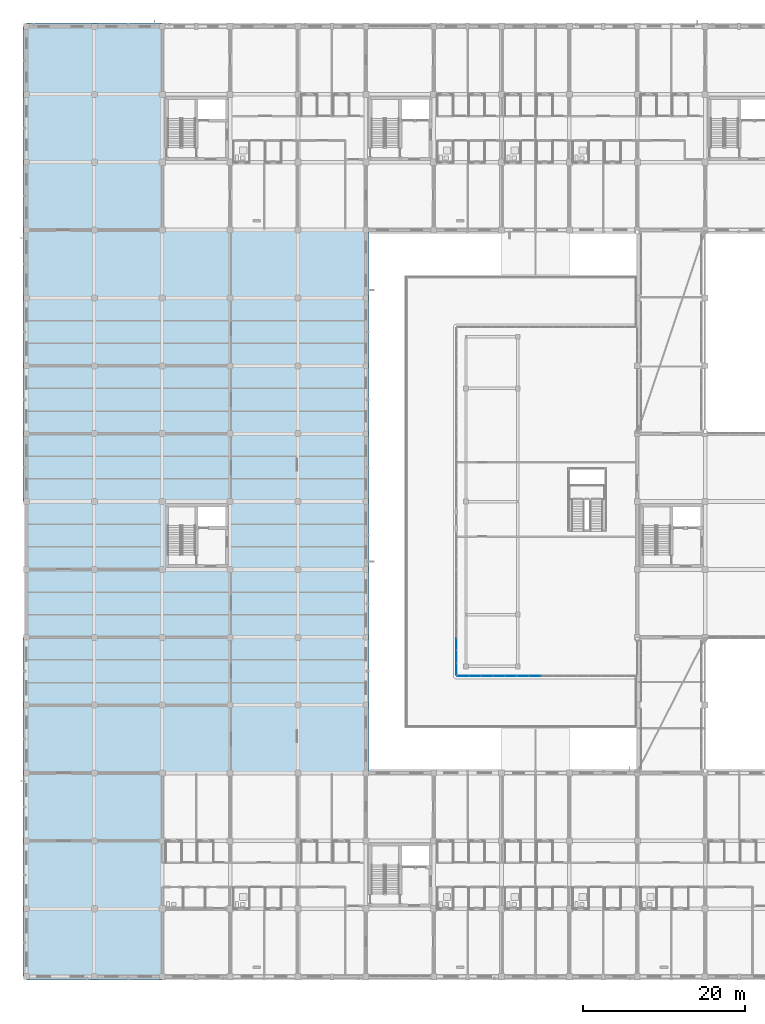
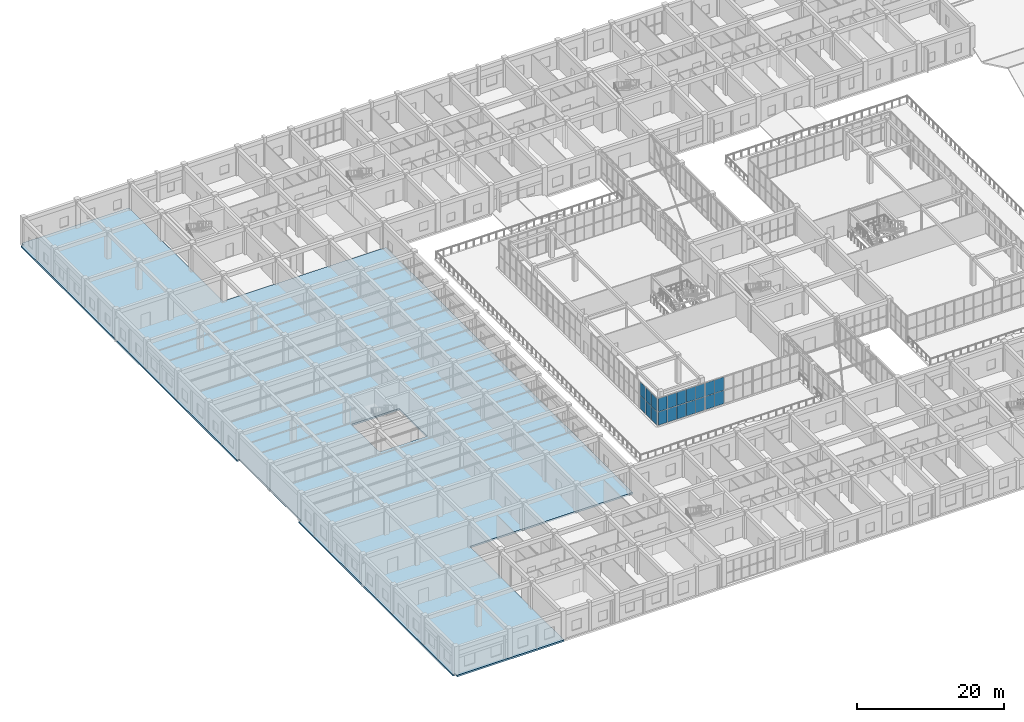
# One storey, part 102 of 158: 20 plates, 1 slab, 3 elements without a shape of their own.
"""IFC4 building model written with IfcOpenShell, lengths in metres."""

import ifcopenshell
import ifcopenshell.guid

model = None  # the IFC model being written
_history = None  # IfcOwnerHistory: only IFC2X3 demands one
_inside = {}  # id of a spatial element -> (the spatial element, [elements in it])
_under = {}  # id of a project, library or spatial element -> (it, [spatial elements below it])
_declared = {}  # id of a project -> (the project, [libraries it declares])
_typed = {}  # id of a type object -> (the type object, [elements of that type])
_made_of = {}  # id of a material, layer set ... -> (it, [elements and type objects made of it])


def new_model(schema):
    """Start an empty IFC model of exactly this schema.

    Asked for "IFC4X3", IfcOpenShell would pick the latest addendum, in which some entities
    have other attributes; the version numbers below select the first issue.
    IFC2X3 requires an IfcOwnerHistory on every rooted entity: one is made here for all.
    """
    global model, _history
    if schema == "IFC4X3":
        model = ifcopenshell.file(schema_version=(4, 3, 0, 0))
    else:
        model = ifcopenshell.file(schema=schema)
    _inside.clear()
    _under.clear()
    _declared.clear()
    _typed.clear()
    _made_of.clear()
    _history = None
    if model.schema == "IFC2X3":
        org = make("IfcOrganization", Name="unknown")
        user = make(
            "IfcPersonAndOrganization",
            ThePerson=make("IfcPerson", FamilyName="unknown"),
            TheOrganization=org,
        )
        app = make(
            "IfcApplication",
            ApplicationDeveloper=org,
            Version="unknown",
            ApplicationFullName="unknown",
            ApplicationIdentifier="unknown",
        )
        _history = make(
            "IfcOwnerHistory",
            OwningUser=user,
            OwningApplication=app,
            ChangeAction="ADDED",
            CreationDate=0,
        )
    return model


def make(cls, **values):
    """One entity of the class cls with the attributes given. An attribute that is None is left unset."""
    return model.create_entity(
        cls, **{name: value for name, value in values.items() if value is not None}
    )


def rooted(cls, **values):
    """An entity with a GlobalId (a new one), such as an element, a storey or a relation."""
    return make(cls, GlobalId=ifcopenshell.guid.new(), OwnerHistory=_history, **values)


def si_unit(unit_type, name, prefix=None):
    """IfcSIUnit, for example si_unit("LENGTHUNIT", "METRE", prefix="MILLI")."""
    return make("IfcSIUnit", UnitType=unit_type, Prefix=prefix, Name=name)


def assignment(units):
    """IfcUnitAssignment: the units of a project."""
    return None if units is None else make("IfcUnitAssignment", Units=units)


def point(xyz):
    """IfcCartesianPoint."""
    return None if xyz is None else make("IfcCartesianPoint", Coordinates=xyz)


def direction(xyz):
    """IfcDirection."""
    return None if xyz is None else make("IfcDirection", DirectionRatios=xyz)


def frame(location, z_axis=None, x_axis=None):
    """IfcAxis2Placement3D, a coordinate frame: its origin and axes. An axis left out is left unset."""
    return make(
        "IfcAxis2Placement3D",
        Location=point(location),
        Axis=direction(z_axis),
        RefDirection=direction(x_axis),
    )


def frame_2d(location, x_axis=None):
    """IfcAxis2Placement2D, a coordinate frame in the plane: its origin and x axis."""
    return make(
        "IfcAxis2Placement2D", Location=point(location), RefDirection=direction(x_axis)
    )


def origin():
    """The frame at (0, 0, 0) with its axes left unset."""
    return frame((0.0, 0.0, 0.0))


def origin_2d():
    """The frame at (0, 0) in the plane with its x axis left unset."""
    return frame_2d((0.0, 0.0))


def place(relative_to, where):
    """IfcLocalPlacement: puts the frame where relative to a parent placement (None: the world)."""
    return make(
        "IfcLocalPlacement", PlacementRelTo=relative_to, RelativePlacement=where
    )


def context(
    kind, dimensions, precision=None, world=None, true_north=None, identifier=None
):
    """IfcGeometricRepresentationContext, for example the 3D "Model" context."""
    return make(
        "IfcGeometricRepresentationContext",
        ContextIdentifier=identifier,
        ContextType=kind,
        CoordinateSpaceDimension=dimensions,
        Precision=precision,
        WorldCoordinateSystem=world,
        TrueNorth=true_north,
    )


def subcontext(parent, identifier, kind, view, scale=None):
    """IfcGeometricRepresentationSubContext, for example "Body" below "Model"."""
    return make(
        "IfcGeometricRepresentationSubContext",
        ContextIdentifier=identifier,
        ContextType=kind,
        ParentContext=parent,
        TargetScale=scale,
        TargetView=view,
    )


def project(units=None, contexts=None):
    """IfcProject with its units and contexts."""
    return rooted(
        "IfcProject",
        Name="project",
        RepresentationContexts=contexts,
        UnitsInContext=assignment(units),
    )


def spatial(cls, under=None, at=None, **own):
    """A site, building, storey or space (cls), placed at a placement, below another one or the project."""
    s = rooted(cls, ObjectPlacement=at, **own)
    if under is not None:
        _under.setdefault(under.id(), (under, []))[1].append(s)
    return s


def polyline(points):
    """IfcPolyline through the points."""
    return make("IfcPolyline", Points=[point(p) for p in points])


def profile(cls, at=None, kind="AREA", **sizes):
    """A parametric profile (cls). Its sizes go by their IFC names, for example OverallWidth=200.0."""
    return make(cls, ProfileType=kind, Position=at, **sizes)


def rectangle(**sizes):
    """IfcRectangleProfileDef."""
    return profile("IfcRectangleProfileDef", **sizes)


def outline(outer, holes=None, kind="AREA"):
    """IfcArbitraryClosedProfileDef: a profile drawn as a closed curve; with holes, ...WithVoids."""
    if holes is None:
        return make("IfcArbitraryClosedProfileDef", ProfileType=kind, OuterCurve=outer)
    return make(
        "IfcArbitraryProfileDefWithVoids",
        ProfileType=kind,
        OuterCurve=outer,
        InnerCurves=holes,
    )


def extrude(swept, where, along, depth):
    """IfcExtrudedAreaSolid: the profile swept, set in the frame where, extruded along a direction by depth."""
    return make(
        "IfcExtrudedAreaSolid",
        SweptArea=swept,
        Position=where,
        ExtrudedDirection=direction(along),
        Depth=depth,
    )


def shape(context_of_items, identifier, shape_type, items):
    """IfcShapeRepresentation: the items that make up one representation, for example the "Body"."""
    return make(
        "IfcShapeRepresentation",
        ContextOfItems=context_of_items,
        RepresentationIdentifier=identifier,
        RepresentationType=shape_type,
        Items=items,
    )


def material(Name=None, Category=None):
    """IfcMaterial."""
    return make("IfcMaterial", Name=Name, Category=Category)


def layer(
    of_material, thickness, ventilated=None, Name=None, Category=None, Priority=None
):
    """IfcMaterialLayer: one layer of a wall or slab, of a material (None: an air gap)."""
    return make(
        "IfcMaterialLayer",
        Material=of_material,
        LayerThickness=thickness,
        IsVentilated=ventilated,
        Name=Name,
        Category=Category,
        Priority=Priority,
    )


def layer_set(layers, Name=None):
    """IfcMaterialLayerSet."""
    return make("IfcMaterialLayerSet", MaterialLayers=layers, LayerSetName=Name)


def made_of(thing, what):
    """Note that an element or type object is made of a material, layer set ...; save() writes the relation."""
    if what is not None:
        _made_of.setdefault(what.id(), (what, []))[1].append(thing)
    return thing


def type_object(cls, material=None, **own):
    """A type object (cls), such as IfcWallType, which elements share."""
    return made_of(rooted(cls, **own), material)


def element(
    cls,
    number,
    at=None,
    inside=None,
    cuts=None,
    type_object=None,
    material=None,
    context=None,
    identifier="Body",
    shape_type=None,
    held_by="IfcProductDefinitionShape",
    body=None,
    shapes=None,
    **own,
):
    """One element of the class cls, such as IfcWall. Its Tag is "e" and its number.

    at: its placement. inside: the storey or other place that contains it. cuts: it is an
    opening in that element (IfcRelVoidsElement). A single representation is given by context,
    identifier, shape_type and body (its items); several are given by shapes. held_by: the class
    of the entity that holds the representations. save() writes the other relations.
    """
    e = rooted(cls, Tag="e%d" % number, ObjectPlacement=at, **own)
    if body is not None:
        shapes = [shape(context, identifier, shape_type, body)]
    if shapes is not None:
        e.Representation = make(held_by, Representations=shapes)
    if inside is not None:
        _inside.setdefault(inside.id(), (inside, []))[1].append(e)
    if cuts is not None:
        rooted(
            "IfcRelVoidsElement", RelatingBuildingElement=cuts, RelatedOpeningElement=e
        )
    if type_object is not None:
        _typed.setdefault(type_object.id(), (type_object, []))[1].append(e)
    return made_of(e, material)


def aggregate(whole, parts):
    """IfcRelAggregates: a whole, such as a stair, and the parts it consists of."""
    return rooted("IfcRelAggregates", RelatingObject=whole, RelatedObjects=parts)


def save(model, path):
    """Write the relations noted so far, then the file.

    IfcRelAggregates (storeys below a building ...), IfcRelContainedInSpatialStructure (elements
    in a storey), IfcRelDefinesByType, IfcRelAssociatesMaterial and IfcRelDeclares: one each for
    every whole, place, type object, material and project.
    """
    for whole, parts in _under.values():
        aggregate(whole, parts)
    for where, things in _inside.values():
        rooted(
            "IfcRelContainedInSpatialStructure",
            RelatedElements=things,
            RelatingStructure=where,
        )
    for kind, things in _typed.values():
        rooted("IfcRelDefinesByType", RelatedObjects=things, RelatingType=kind)
    for what, things in _made_of.values():
        rooted("IfcRelAssociatesMaterial", RelatedObjects=things, RelatingMaterial=what)
    for by, libraries in _declared.values():
        rooted("IfcRelDeclares", RelatingContext=by, RelatedDefinitions=libraries)
    model.write(path)


model = new_model("IFC4")

# Units and contexts
model_context = context("Model", 3, precision=1e-05, world=origin(), true_north=direction((0.0, 1.0)))
body_context = subcontext(model_context, "Body", "Model", "MODEL_VIEW")
ifc_project = project(units=[si_unit("LENGTHUNIT", "METRE"), si_unit("AREAUNIT", "SQUARE_METRE"), si_unit("VOLUMEUNIT", "CUBIC_METRE"), si_unit("PLANEANGLEUNIT", "RADIAN"), si_unit("MASSUNIT", "GRAM", prefix="KILO")], contexts=[model_context])

# Site, building, storey
site_placement = place(None, origin())
site = spatial("IfcSite", under=ifc_project, at=site_placement, CompositionType="ELEMENT")
building_placement = place(site_placement, origin())
building = spatial("IfcBuilding", under=site, at=building_placement, Name="Trelvath General Hospital", CompositionType="ELEMENT")
storey_placement = place(building_placement, frame((0.0, 0.0, 8.10009765625)))
storey = spatial("IfcBuildingStorey", under=building, at=storey_placement, Name="L02", CompositionType="ELEMENT", Elevation=8.10009765625)

# Curtain wall, plates
ifc_material_1 = material(Name="Anodised aluminium and low-E glass", Category="aluminium")
ifc_layer_1 = layer(ifc_material_1, 0.139892578125)
ifc_layer_set_1 = layer_set([ifc_layer_1], Name="Anodised aluminium and low-E glass")
curtain_wall_type_1 = type_object("IfcCurtainWallType", Name="CW CrystalCube 737 456 14", PredefinedType="USERDEFINED", material=ifc_layer_set_1)
curtain_wall_1_placement = place(storey_placement, origin())
curtain_wall_1 = element("IfcCurtainWall", 1, at=curtain_wall_1_placement, inside=storey, type_object=curtain_wall_type_1, Name="Crystal Cube Curtain Wall CUBE-W-T1 S1 L02", ObjectType="Unitised Glazed Curtain Wall", PredefinedType="USERDEFINED")
ifc_material_2 = material(Name="Low-E laminated glass", Category="glass")
ifc_layer_2 = layer(ifc_material_2, 0.028076171875)
ifc_layer_set_2 = layer_set([ifc_layer_2], Name="Low-E laminated glass")
plate_type = type_object("IfcPlateType", Name="CurtainPanel Glass28", PredefinedType="CURTAIN_PANEL", material=ifc_layer_set_2)
plate_1_placement = place(storey_placement, frame((59.89501953125, 37.199951171875, 0.059814453125), z_axis=(0.0, 0.0, 1.0), x_axis=(-1.0, 0.0, 0.0)))
plate_1 = element("IfcPlate", 2, at=plate_1_placement, type_object=plate_type, Name="CW-190 panel 1.1", PredefinedType="CURTAIN_PANEL", context=body_context, shape_type="SweptSolid", body=[
    extrude(rectangle(XDim=1.38330078125, YDim=0.028076171875, at=origin_2d()), origin(), (0.0, 0.0, 1.0), 2.18994140625),
])
plate_2_placement = place(storey_placement, frame((59.89501953125, 37.199951171875, 2.309814453125), z_axis=(0.0, 0.0, 1.0), x_axis=(-1.0, 0.0, 0.0)))
plate_2 = element("IfcPlate", 3, at=plate_2_placement, type_object=plate_type, Name="CW-190 panel 1.2", PredefinedType="CURTAIN_PANEL", context=body_context, shape_type="SweptSolid", body=[
    extrude(rectangle(XDim=1.38330078125, YDim=0.028076171875, at=origin_2d()), origin(), (0.0, 0.0, 1.0), 2.18994140625),
])
plate_3_placement = place(storey_placement, frame((58.436767578125, 37.199951171875, 0.059814453125), z_axis=(0.0, 0.0, 1.0), x_axis=(-1.0, 0.0, 0.0)))
plate_3 = element("IfcPlate", 4, at=plate_3_placement, type_object=plate_type, Name="CW-190 panel 2.1", PredefinedType="CURTAIN_PANEL", context=body_context, shape_type="SweptSolid", body=[
    extrude(rectangle(XDim=1.413330078125, YDim=0.028076171875, at=origin_2d()), origin(), (0.0, 0.0, 1.0), 2.18994140625),
])
plate_4_placement = place(storey_placement, frame((58.436767578125, 37.199951171875, 2.309814453125), z_axis=(0.0, 0.0, 1.0), x_axis=(-1.0, 0.0, 0.0)))
plate_4 = element("IfcPlate", 5, at=plate_4_placement, type_object=plate_type, Name="CW-190 panel 2.2", PredefinedType="CURTAIN_PANEL", context=body_context, shape_type="SweptSolid", body=[
    extrude(rectangle(XDim=1.413330078125, YDim=0.028076171875, at=origin_2d()), origin(), (0.0, 0.0, 1.0), 2.18994140625),
])
plate_5_placement = place(storey_placement, frame((56.96337890625, 37.199951171875, 0.059814453125), z_axis=(0.0, 0.0, 1.0), x_axis=(-1.0, 0.0, 0.0)))
plate_5 = element("IfcPlate", 6, at=plate_5_placement, type_object=plate_type, Name="CW-190 panel 3.1", PredefinedType="CURTAIN_PANEL", context=body_context, shape_type="SweptSolid", body=[
    extrude(rectangle(XDim=1.413330078125, YDim=0.028076171875, at=origin_2d()), origin(), (0.0, 0.0, 1.0), 2.18994140625),
])
plate_6_placement = place(storey_placement, frame((56.96337890625, 37.199951171875, 2.309814453125), z_axis=(0.0, 0.0, 1.0), x_axis=(-1.0, 0.0, 0.0)))
plate_6 = element("IfcPlate", 7, at=plate_6_placement, type_object=plate_type, Name="CW-190 panel 3.2", PredefinedType="CURTAIN_PANEL", context=body_context, shape_type="SweptSolid", body=[
    extrude(rectangle(XDim=1.413330078125, YDim=0.028076171875, at=origin_2d()), origin(), (0.0, 0.0, 1.0), 2.18994140625),
])
plate_7_placement = place(storey_placement, frame((55.489990234375, 37.199951171875, 0.059814453125), z_axis=(0.0, 0.0, 1.0), x_axis=(-1.0, 0.0, 0.0)))
plate_7 = element("IfcPlate", 8, at=plate_7_placement, type_object=plate_type, Name="CW-190 panel 4.1", PredefinedType="CURTAIN_PANEL", context=body_context, shape_type="SweptSolid", body=[
    extrude(rectangle(XDim=1.413330078125, YDim=0.028076171875, at=origin_2d()), origin(), (0.0, 0.0, 1.0), 2.18994140625),
])
plate_8_placement = place(storey_placement, frame((55.489990234375, 37.199951171875, 2.309814453125), z_axis=(0.0, 0.0, 1.0), x_axis=(-1.0, 0.0, 0.0)))
plate_8 = element("IfcPlate", 9, at=plate_8_placement, type_object=plate_type, Name="CW-190 panel 4.2", PredefinedType="CURTAIN_PANEL", context=body_context, shape_type="SweptSolid", body=[
    extrude(rectangle(XDim=1.413330078125, YDim=0.028076171875, at=origin_2d()), origin(), (0.0, 0.0, 1.0), 2.18994140625),
])
plate_9_placement = place(storey_placement, frame((54.03173828125, 37.199951171875, 0.059814453125), z_axis=(0.0, 0.0, 1.0), x_axis=(-1.0, 0.0, 0.0)))
plate_9 = element("IfcPlate", 10, at=plate_9_placement, type_object=plate_type, Name="CW-190 panel 5.1", PredefinedType="CURTAIN_PANEL", context=body_context, shape_type="SweptSolid", body=[
    extrude(rectangle(XDim=1.38330078125, YDim=0.028076171875, at=origin_2d()), origin(), (0.0, 0.0, 1.0), 2.18994140625),
])
plate_10_placement = place(storey_placement, frame((54.03173828125, 37.199951171875, 2.309814453125), z_axis=(0.0, 0.0, 1.0), x_axis=(-1.0, 0.0, 0.0)))
plate_10 = element("IfcPlate", 11, at=plate_10_placement, type_object=plate_type, Name="CW-190 panel 5.2", PredefinedType="CURTAIN_PANEL", context=body_context, shape_type="SweptSolid", body=[
    extrude(rectangle(XDim=1.38330078125, YDim=0.028076171875, at=origin_2d()), origin(), (0.0, 0.0, 1.0), 2.18994140625),
])
aggregate(curtain_wall_1, [plate_1, plate_2, plate_3, plate_4, plate_5, plate_6, plate_7, plate_8, plate_9, plate_10])

ifc_material_3 = material(Name="Anodised aluminium and low-E glass", Category="aluminium")
ifc_layer_3 = layer(ifc_material_3, 0.139892578125)
ifc_layer_set_3 = layer_set([ifc_layer_3], Name="Anodised aluminium and low-E glass")
curtain_wall_type_2 = type_object("IfcCurtainWallType", Name="CW CrystalCube 743 456 14", PredefinedType="USERDEFINED", material=ifc_layer_set_3)
curtain_wall_2_placement = place(storey_placement, origin())
curtain_wall_2 = element("IfcCurtainWall", 12, at=curtain_wall_2_placement, inside=storey, type_object=curtain_wall_type_2, Name="Crystal Cube Curtain Wall CUBE-W-T1 S2 L02", ObjectType="Unitised Glazed Curtain Wall", PredefinedType="USERDEFINED")
plate_11_placement = place(storey_placement, frame((62.914794921875, 37.199951171875, 0.059814453125), z_axis=(0.0, 0.0, 1.0), x_axis=(-1.0, 0.0, 0.0)))
plate_11 = element("IfcPlate", 13, at=plate_11_placement, type_object=plate_type, Name="CW-191 panel 4.1", PredefinedType="CURTAIN_PANEL", context=body_context, shape_type="SweptSolid", body=[
    extrude(rectangle(XDim=1.42529296875, YDim=0.028076171875, at=origin_2d()), origin(), (0.0, 0.0, 1.0), 2.18994140625),
])
plate_12_placement = place(storey_placement, frame((62.914794921875, 37.199951171875, 2.309814453125), z_axis=(0.0, 0.0, 1.0), x_axis=(-1.0, 0.0, 0.0)))
plate_12 = element("IfcPlate", 14, at=plate_12_placement, type_object=plate_type, Name="CW-191 panel 4.2", PredefinedType="CURTAIN_PANEL", context=body_context, shape_type="SweptSolid", body=[
    extrude(rectangle(XDim=1.42529296875, YDim=0.028076171875, at=origin_2d()), origin(), (0.0, 0.0, 1.0), 2.18994140625),
])
plate_13_placement = place(storey_placement, frame((61.4443359375, 37.199951171875, 0.059814453125), z_axis=(0.0, 0.0, 1.0), x_axis=(-1.0, 0.0, 0.0)))
plate_13 = element("IfcPlate", 15, at=plate_13_placement, type_object=plate_type, Name="CW-191 panel 5.1", PredefinedType="CURTAIN_PANEL", context=body_context, shape_type="SweptSolid", body=[
    extrude(rectangle(XDim=1.395263671875, YDim=0.028076171875, at=origin_2d()), origin(), (0.0, 0.0, 1.0), 2.18994140625),
])
plate_14_placement = place(storey_placement, frame((61.4443359375, 37.199951171875, 2.309814453125), z_axis=(0.0, 0.0, 1.0), x_axis=(-1.0, 0.0, 0.0)))
plate_14 = element("IfcPlate", 16, at=plate_14_placement, type_object=plate_type, Name="CW-191 panel 5.2", PredefinedType="CURTAIN_PANEL", context=body_context, shape_type="SweptSolid", body=[
    extrude(rectangle(XDim=1.395263671875, YDim=0.028076171875, at=origin_2d()), origin(), (0.0, 0.0, 1.0), 2.18994140625),
])
aggregate(curtain_wall_2, [plate_11, plate_12, plate_13, plate_14])

ifc_material_4 = material(Name="Anodised aluminium and low-E glass", Category="aluminium")
ifc_layer_4 = layer(ifc_material_4, 0.139892578125)
ifc_layer_set_4 = layer_set([ifc_layer_4], Name="Anodised aluminium and low-E glass")
curtain_wall_type_3 = type_object("IfcCurtainWallType", Name="CW CrystalCube 464 456 14", PredefinedType="USERDEFINED", material=ifc_layer_set_4)
curtain_wall_3_placement = place(storey_placement, origin())
curtain_wall_3 = element("IfcCurtainWall", 17, at=curtain_wall_3_placement, inside=storey, type_object=curtain_wall_type_3, Name="Crystal Cube Curtain Wall CUBE-W-T1 W1 L02", ObjectType="Unitised Glazed Curtain Wall", PredefinedType="USERDEFINED")
plate_15_placement = place(storey_placement, frame((53.199951171875, 38.068359375, 0.059814453125), z_axis=(0.0, 0.0, 1.0), x_axis=(0.0, 1.0, 0.0)))
plate_15 = element("IfcPlate", 18, at=plate_15_placement, type_object=plate_type, Name="CW-196 panel 1.1", PredefinedType="CURTAIN_PANEL", context=body_context, shape_type="SweptSolid", body=[
    extrude(rectangle(XDim=1.456787109375, YDim=0.028076171875, at=origin_2d()), origin(), (0.0, 0.0, 1.0), 2.18994140625),
])
plate_16_placement = place(storey_placement, frame((53.199951171875, 38.068359375, 2.309814453125), z_axis=(0.0, 0.0, 1.0), x_axis=(0.0, 1.0, 0.0)))
plate_16 = element("IfcPlate", 19, at=plate_16_placement, type_object=plate_type, Name="CW-196 panel 1.2", PredefinedType="CURTAIN_PANEL", context=body_context, shape_type="SweptSolid", body=[
    extrude(rectangle(XDim=1.456787109375, YDim=0.028076171875, at=origin_2d()), origin(), (0.0, 0.0, 1.0), 2.18994140625),
])
plate_17_placement = place(storey_placement, frame((53.199951171875, 39.60009765625, 0.059814453125), z_axis=(0.0, 0.0, 1.0), x_axis=(0.0, 1.0, 0.0)))
plate_17 = element("IfcPlate", 20, at=plate_17_placement, type_object=plate_type, Name="CW-196 panel 2.1", PredefinedType="CURTAIN_PANEL", context=body_context, shape_type="SweptSolid", body=[
    extrude(rectangle(XDim=1.486572265625, YDim=0.028076171875, at=origin_2d()), origin(), (0.0, 0.0, 1.0), 2.18994140625),
])
plate_18_placement = place(storey_placement, frame((53.199951171875, 39.60009765625, 2.309814453125), z_axis=(0.0, 0.0, 1.0), x_axis=(0.0, 1.0, 0.0)))
plate_18 = element("IfcPlate", 21, at=plate_18_placement, type_object=plate_type, Name="CW-196 panel 2.2", PredefinedType="CURTAIN_PANEL", context=body_context, shape_type="SweptSolid", body=[
    extrude(rectangle(XDim=1.486572265625, YDim=0.028076171875, at=origin_2d()), origin(), (0.0, 0.0, 1.0), 2.18994140625),
])
plate_19_placement = place(storey_placement, frame((53.199951171875, 41.131591796875, 0.059814453125), z_axis=(0.0, 0.0, 1.0), x_axis=(0.0, 1.0, 0.0)))
plate_19 = element("IfcPlate", 22, at=plate_19_placement, type_object=plate_type, Name="CW-196 panel 3.1", PredefinedType="CURTAIN_PANEL", context=body_context, shape_type="SweptSolid", body=[
    extrude(rectangle(XDim=1.456787109375, YDim=0.028076171875, at=origin_2d()), origin(), (0.0, 0.0, 1.0), 2.18994140625),
])
plate_20_placement = place(storey_placement, frame((53.199951171875, 41.131591796875, 2.309814453125), z_axis=(0.0, 0.0, 1.0), x_axis=(0.0, 1.0, 0.0)))
plate_20 = element("IfcPlate", 23, at=plate_20_placement, type_object=plate_type, Name="CW-196 panel 3.2", PredefinedType="CURTAIN_PANEL", context=body_context, shape_type="SweptSolid", body=[
    extrude(rectangle(XDim=1.456787109375, YDim=0.028076171875, at=origin_2d()), origin(), (0.0, 0.0, 1.0), 2.18994140625),
])
aggregate(curtain_wall_3, [plate_15, plate_16, plate_17, plate_18, plate_19, plate_20])

# Slab
ifc_material_5 = material(Name="Concrete C35/45", Category="concrete")
ifc_layer_5 = layer(ifc_material_5, 0.280029296875)
ifc_layer_set_5 = layer_set([ifc_layer_5], Name="Concrete C35/45")
slab_type = type_object("IfcSlabType", Name="FlatSlab Clinical280", PredefinedType="FLOOR", material=ifc_layer_set_5)
slab_placement = place(storey_placement, frame((0.0, 0.0, -0.280029296875)))
element("IfcSlab", 24, at=slab_placement, inside=storey, type_object=slab_type, Name="Floor Slab SL-L02-V3-O1", PredefinedType="FLOOR", context=body_context, shape_type="SweptSolid", body=[
    extrude(outline(polyline([(16.800048828125, -0.419921875), (0.0, -0.419921875), (0.0, 0.0), (-0.419921875, 0.0), (-0.419921875, 42.0), (0.0, 42.0), (0.0, 58.800048828125), (-0.419921875, 58.800048828125), (-0.419921875, 117.60009765625), (0.0, 117.60009765625), (0.0, 118.02001953125), (16.800048828125, 118.02001953125), (16.800048828125, 117.6201171875), (16.780029296875, 117.6201171875), (16.800048828125, 117.60009765625), (16.800048828125, 92.39990234375), (42.0, 92.39990234375), (42.0, 92.3798828125), (42.419921875, 92.3798828125), (42.419921875, 25.219970703125), (42.0, 25.219970703125), (42.0, 25.199951171875), (16.800048828125, 25.199951171875), (16.800048828125, 0.0), (16.780029296875, 0.0), (16.800048828125, -0.02001953125), (16.800048828125, -0.419921875)]), holes=[polyline([(17.35009765625, 50.800048828125), (24.85009765625, 50.800048828125), (24.85009765625, 58.35009765625), (17.35009765625, 58.35009765625), (17.35009765625, 50.800048828125)])]), origin(), (0.0, 0.0, 1.0), 0.280029296875),
])

save(model, "model.ifc")
